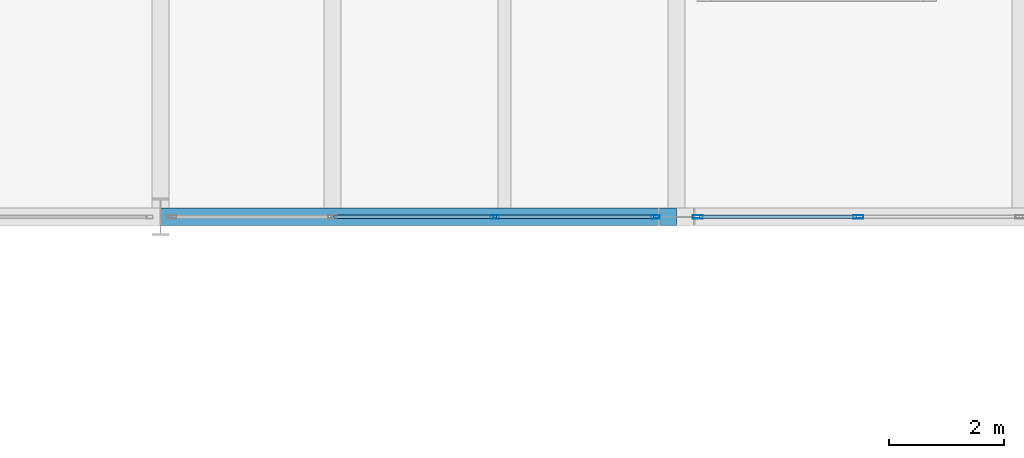
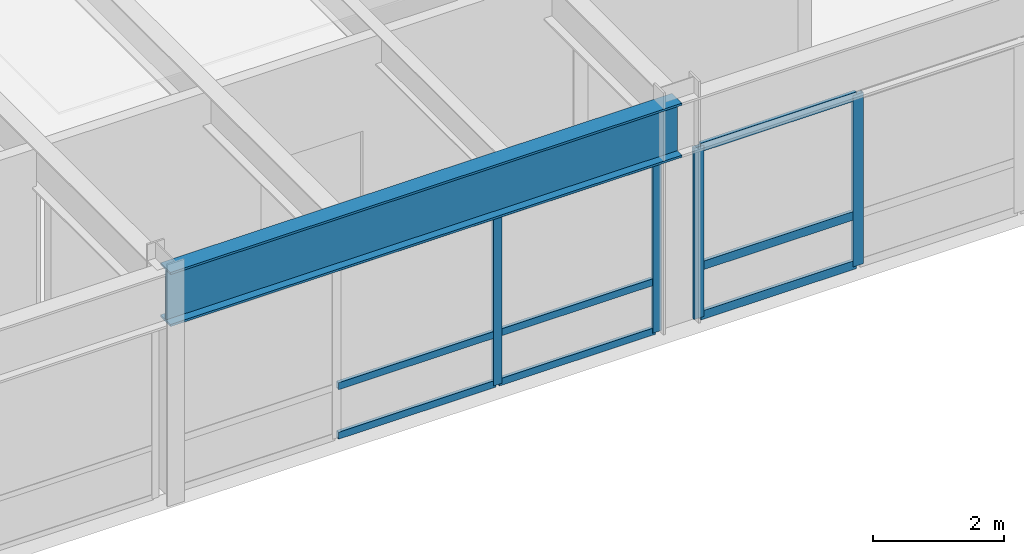
# One storey, part 90 of 127: 13 members, 1 beam, 2 elements without a shape of their own.
"""IFC4 building model written with IfcOpenShell, lengths in metres."""

from ifc_helpers import new_model, si_unit, direction, frame, origin, origin_2d, place, context, subcontext, project, spatial, hollow_rectangle, i_section, extrude, material, layer, layer_set, material_profile, profile_set, type_object, element, aggregate, save


model = new_model("IFC4")

# Units and contexts
model_context = context("Model", 3, precision=1e-05, world=origin(), true_north=direction((0.0, 1.0)))
body_context = subcontext(model_context, "Body", "Model", "MODEL_VIEW")
ifc_project = project(units=[si_unit("LENGTHUNIT", "METRE"), si_unit("AREAUNIT", "SQUARE_METRE"), si_unit("VOLUMEUNIT", "CUBIC_METRE"), si_unit("PLANEANGLEUNIT", "RADIAN"), si_unit("MASSUNIT", "GRAM", prefix="KILO")], contexts=[model_context])

# Site, building, storey
site_placement = place(None, origin())
site = spatial("IfcSite", under=ifc_project, at=site_placement, CompositionType="ELEMENT")
building_placement = place(site_placement, origin())
building = spatial("IfcBuilding", under=site, at=building_placement, Name="Montelvaro Courts of Justice", CompositionType="ELEMENT")
storey_placement = place(building_placement, frame((0.0, 0.0, 5.39990234375)))
storey = spatial("IfcBuildingStorey", under=building, at=storey_placement, Name="L01", CompositionType="ELEMENT", Elevation=5.39990234375)

# Beam
ifc_material_1 = material(Name="Steel S355", Category="steel")
ifc_material_profile_1 = material_profile(ifc_material_1, i_section(OverallWidth=0.302001953125, OverallDepth=1.008056640625, WebThickness=0.02099609375, FlangeThickness=0.0400390625, at=origin_2d()), Name="HEM 1000")
ifc_profile_set_1 = profile_set([ifc_material_profile_1], Name="Steel S355")
beam_type = type_object("IfcBeamType", Name="Beam_HEM1000", PredefinedType="USERDEFINED", material=ifc_profile_set_1)
beam_placement = place(storey_placement, frame((144.0, 78.0, 3.696044921875), z_axis=(1.0, 0.0, 0.0), x_axis=(0.0, 1.0, 0.0)))
element("IfcBeam", 1, at=beam_placement, inside=storey, type_object=beam_type, Name="Pratt Cantilever Truss Chord CTR-V2-S-L02-BS2", ObjectType="GIRDER", PredefinedType="USERDEFINED", context=body_context, shape_type="SweptSolid", body=[
    extrude(i_section(OverallWidth=0.302001953125, OverallDepth=1.008056640625, WebThickness=0.02099609375, FlangeThickness=0.0400390625, at=origin_2d()), origin(), (0.0, 0.0, 1.0), 9.0),
])

# Curtain wall, members
ifc_material_2 = material(Name="Anodised aluminium EN AW-6063", Category="aluminium")
ifc_layer = layer(ifc_material_2, 0.159912109375)
ifc_layer_set = layer_set([ifc_layer], Name="Anodised aluminium EN AW-6063")
curtain_wall_type = type_object("IfcCurtainWallType", Name="CurtainWall_21_849x418", PredefinedType="USERDEFINED", material=ifc_layer_set)
curtain_wall_1_placement = place(storey_placement, origin())
curtain_wall_1 = element("IfcCurtainWall", 2, at=curtain_wall_1_placement, inside=storey, type_object=curtain_wall_type, Name="Curtain Wall CW-21 (L01)", ObjectType="CURTAIN WALL", PredefinedType="USERDEFINED")
ifc_material_profile_2 = material_profile(ifc_material_2, hollow_rectangle(XDim=0.06005859375, YDim=0.14990234375, WallThickness=0.00390625, at=origin_2d()), Name="ALU-M 60x150")
ifc_profile_set_2 = profile_set([ifc_material_profile_2], Name="Anodised aluminium EN AW-6063")
member_type_1 = type_object("IfcMemberType", Name="CurtainWall_Mullion_60x150", PredefinedType="MULLION", material=ifc_profile_set_2)
member_1_placement = place(storey_placement, frame((149.828369140625, 78.0, 0.0), z_axis=(0.0, 0.0, 1.0), x_axis=(0.0, 1.0, 0.0)))
member_1 = element("IfcMember", 3, at=member_1_placement, type_object=member_type_1, Name="CW-21 mullion 3", PredefinedType="MULLION", context=body_context, shape_type="SweptSolid", body=[
    extrude(hollow_rectangle(XDim=0.06005859375, YDim=0.14990234375, WallThickness=0.00390625, at=origin_2d()), origin(), (0.0, 0.0, 1.0), 3.18701171875),
])
member_2_placement = place(storey_placement, frame((152.6298828125, 78.0, 0.0), z_axis=(0.0, 0.0, 1.0), x_axis=(0.0, 1.0, 0.0)))
member_2 = element("IfcMember", 4, at=member_2_placement, type_object=member_type_1, Name="CW-21 mullion 4", PredefinedType="MULLION", context=body_context, shape_type="SweptSolid", body=[
    extrude(hollow_rectangle(XDim=0.06005859375, YDim=0.14990234375, WallThickness=0.00390625, at=origin_2d()), origin(), (0.0, 0.0, 1.0), 3.18701171875),
])

curtain_wall_2_placement = place(storey_placement, origin())
curtain_wall_2 = element("IfcCurtainWall", 5, at=curtain_wall_2_placement, inside=storey, type_object=curtain_wall_type, Name="Curtain Wall CW-21 (L01)", ObjectType="CURTAIN WALL", PredefinedType="USERDEFINED")
ifc_material_profile_3 = material_profile(ifc_material_2, hollow_rectangle(XDim=0.06005859375, YDim=0.179931640625, WallThickness=0.00439453125, at=origin_2d()), Name="ALU-M 60x180")
ifc_profile_set_3 = profile_set([ifc_material_profile_3], Name="Anodised aluminium EN AW-6063")
member_type_2 = type_object("IfcMemberType", Name="CurtainWall_Mullion_60x180", PredefinedType="MULLION", material=ifc_profile_set_3)
member_3_placement = place(storey_placement, frame((153.3701171875, 78.0, 0.0), z_axis=(0.0, 0.0, 1.0), x_axis=(0.0, 1.0, 0.0)))
member_3 = element("IfcMember", 6, at=member_3_placement, type_object=member_type_2, Name="CW-21 mullion 1", PredefinedType="MULLION", context=body_context, shape_type="SweptSolid", body=[
    extrude(hollow_rectangle(XDim=0.06005859375, YDim=0.179931640625, WallThickness=0.00439453125, at=origin_2d()), origin(), (0.0, 0.0, 1.0), 3.18701171875),
])
member_4_placement = place(storey_placement, frame((156.171630859375, 78.0, 0.0), z_axis=(0.0, 0.0, 1.0), x_axis=(0.0, 1.0, 0.0)))
member_4 = element("IfcMember", 7, at=member_4_placement, type_object=member_type_2, Name="CW-21 mullion 2", PredefinedType="MULLION", context=body_context, shape_type="SweptSolid", body=[
    extrude(hollow_rectangle(XDim=0.06005859375, YDim=0.179931640625, WallThickness=0.00439453125, at=origin_2d()), origin(), (0.0, 0.0, 1.0), 3.18701171875),
])

# Member
ifc_material_profile_4 = material_profile(ifc_material_2, hollow_rectangle(XDim=0.06005859375, YDim=0.1298828125, WallThickness=0.00390625, at=origin_2d()), Name="ALU-T 60x130")
ifc_profile_set_4 = profile_set([ifc_material_profile_4], Name="Anodised aluminium EN AW-6063")
member_type_3 = type_object("IfcMemberType", Name="CurtainWall_Transom_60x130", PredefinedType="USERDEFINED", material=ifc_profile_set_4)
member_5_placement = place(storey_placement, frame((147.026611328125, 78.0, 0.030029296875), z_axis=(1.0, 0.0, 0.0), x_axis=(0.0, 1.0, 0.0)))
member_5 = element("IfcMember", 8, at=member_5_placement, type_object=member_type_3, Name="CW-21 transom 2.1", ObjectType="TRANSOM", PredefinedType="USERDEFINED", context=body_context, shape_type="SweptSolid", body=[
    extrude(hollow_rectangle(XDim=0.06005859375, YDim=0.1298828125, WallThickness=0.00390625, at=origin_2d()), origin(), (0.0, 0.0, 1.0), 2.771728515625),
])

member_6_placement = place(storey_placement, frame((147.026611328125, 78.0, 0.9501953125), z_axis=(1.0, 0.0, 0.0), x_axis=(0.0, 1.0, 0.0)))
member_6 = element("IfcMember", 9, at=member_6_placement, type_object=member_type_3, Name="CW-21 transom 2.2", ObjectType="TRANSOM", PredefinedType="USERDEFINED", context=body_context, shape_type="SweptSolid", body=[
    extrude(hollow_rectangle(XDim=0.06005859375, YDim=0.1298828125, WallThickness=0.00390625, at=origin_2d()), origin(), (0.0, 0.0, 1.0), 2.771728515625),
])

member_7_placement = place(storey_placement, frame((147.026611328125, 78.0, 3.156982421875), z_axis=(1.0, 0.0, 0.0), x_axis=(0.0, 1.0, 0.0)))
member_7 = element("IfcMember", 10, at=member_7_placement, type_object=member_type_3, Name="CW-21 transom 2.3", ObjectType="TRANSOM", PredefinedType="USERDEFINED", context=body_context, shape_type="SweptSolid", body=[
    extrude(hollow_rectangle(XDim=0.06005859375, YDim=0.1298828125, WallThickness=0.00390625, at=origin_2d()), origin(), (0.0, 0.0, 1.0), 2.771728515625),
])

member_8_placement = place(storey_placement, frame((149.8583984375, 78.0, 0.030029296875), z_axis=(1.0, 0.0, 0.0), x_axis=(0.0, 1.0, 0.0)))
member_8 = element("IfcMember", 11, at=member_8_placement, type_object=member_type_3, Name="CW-21 transom 3.1", ObjectType="TRANSOM", PredefinedType="USERDEFINED", context=body_context, shape_type="SweptSolid", body=[
    extrude(hollow_rectangle(XDim=0.06005859375, YDim=0.1298828125, WallThickness=0.00390625, at=origin_2d()), origin(), (0.0, 0.0, 1.0), 2.74169921875),
])

member_9_placement = place(storey_placement, frame((149.8583984375, 78.0, 0.9501953125), z_axis=(1.0, 0.0, 0.0), x_axis=(0.0, 1.0, 0.0)))
member_9 = element("IfcMember", 12, at=member_9_placement, type_object=member_type_3, Name="CW-21 transom 3.2", ObjectType="TRANSOM", PredefinedType="USERDEFINED", context=body_context, shape_type="SweptSolid", body=[
    extrude(hollow_rectangle(XDim=0.06005859375, YDim=0.1298828125, WallThickness=0.00390625, at=origin_2d()), origin(), (0.0, 0.0, 1.0), 2.74169921875),
])

member_10_placement = place(storey_placement, frame((149.8583984375, 78.0, 3.156982421875), z_axis=(1.0, 0.0, 0.0), x_axis=(0.0, 1.0, 0.0)))
member_10 = element("IfcMember", 13, at=member_10_placement, type_object=member_type_3, Name="CW-21 transom 3.3", ObjectType="TRANSOM", PredefinedType="USERDEFINED", context=body_context, shape_type="SweptSolid", body=[
    extrude(hollow_rectangle(XDim=0.06005859375, YDim=0.1298828125, WallThickness=0.00390625, at=origin_2d()), origin(), (0.0, 0.0, 1.0), 2.74169921875),
])

aggregate(curtain_wall_1, [member_1, member_2, member_5, member_6, member_7, member_8, member_9, member_10])

ifc_material_profile_5 = material_profile(ifc_material_2, hollow_rectangle(XDim=0.06005859375, YDim=0.159912109375, WallThickness=0.00439453125, at=origin_2d()), Name="ALU-T 60x160")
ifc_profile_set_5 = profile_set([ifc_material_profile_5], Name="Anodised aluminium EN AW-6063")
member_type_4 = type_object("IfcMemberType", Name="CurtainWall_Transom_60x160", PredefinedType="USERDEFINED", material=ifc_profile_set_5)
member_11_placement = place(storey_placement, frame((153.39990234375, 78.0, 0.030029296875), z_axis=(1.0, 0.0, 0.0), x_axis=(0.0, 1.0, 0.0)))
member_11 = element("IfcMember", 14, at=member_11_placement, type_object=member_type_4, Name="CW-21 transom 1.1", ObjectType="TRANSOM", PredefinedType="USERDEFINED", context=body_context, shape_type="SweptSolid", body=[
    extrude(hollow_rectangle(XDim=0.06005859375, YDim=0.159912109375, WallThickness=0.00439453125, at=origin_2d()), origin(), (0.0, 0.0, 1.0), 2.74169921875),
])

member_12_placement = place(storey_placement, frame((153.39990234375, 78.0, 0.9501953125), z_axis=(1.0, 0.0, 0.0), x_axis=(0.0, 1.0, 0.0)))
member_12 = element("IfcMember", 15, at=member_12_placement, type_object=member_type_4, Name="CW-21 transom 1.2", ObjectType="TRANSOM", PredefinedType="USERDEFINED", context=body_context, shape_type="SweptSolid", body=[
    extrude(hollow_rectangle(XDim=0.06005859375, YDim=0.159912109375, WallThickness=0.00439453125, at=origin_2d()), origin(), (0.0, 0.0, 1.0), 2.74169921875),
])

member_13_placement = place(storey_placement, frame((153.39990234375, 78.0, 3.156982421875), z_axis=(1.0, 0.0, 0.0), x_axis=(0.0, 1.0, 0.0)))
member_13 = element("IfcMember", 16, at=member_13_placement, type_object=member_type_4, Name="CW-21 transom 1.3", ObjectType="TRANSOM", PredefinedType="USERDEFINED", context=body_context, shape_type="SweptSolid", body=[
    extrude(hollow_rectangle(XDim=0.06005859375, YDim=0.159912109375, WallThickness=0.00439453125, at=origin_2d()), origin(), (0.0, 0.0, 1.0), 2.74169921875),
])

aggregate(curtain_wall_2, [member_3, member_4, member_11, member_12, member_13])

save(model, "model.ifc")
